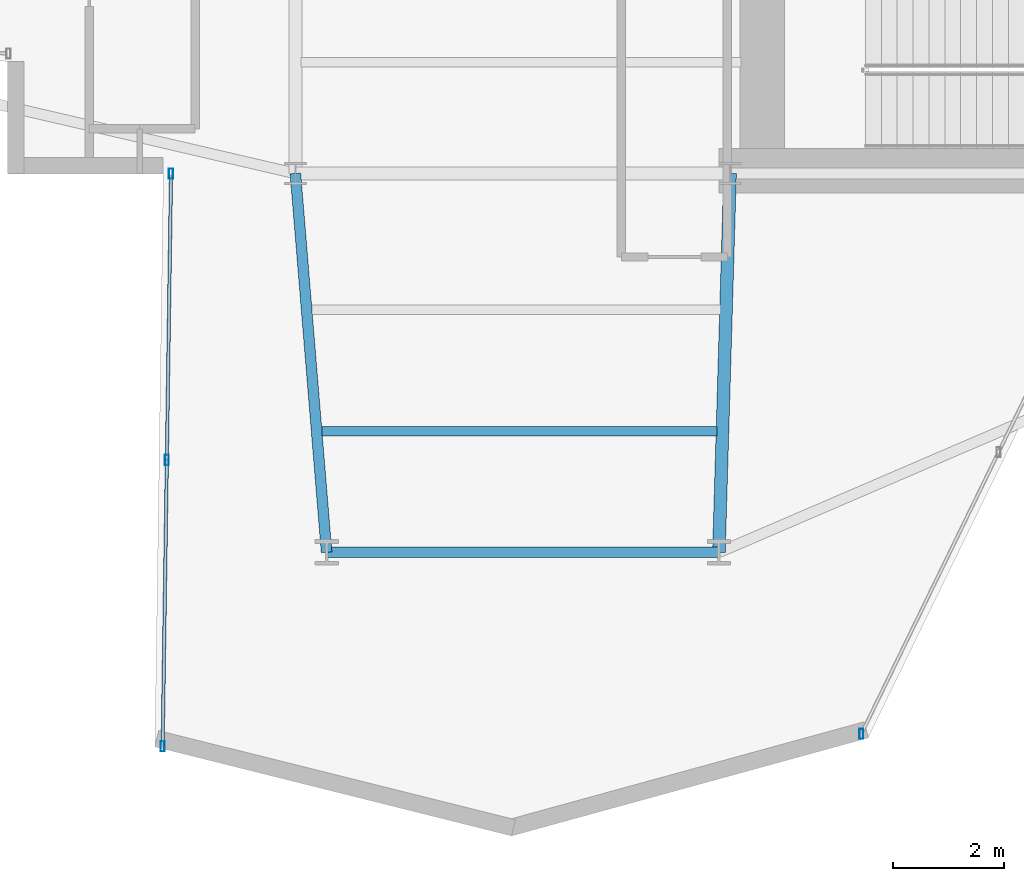
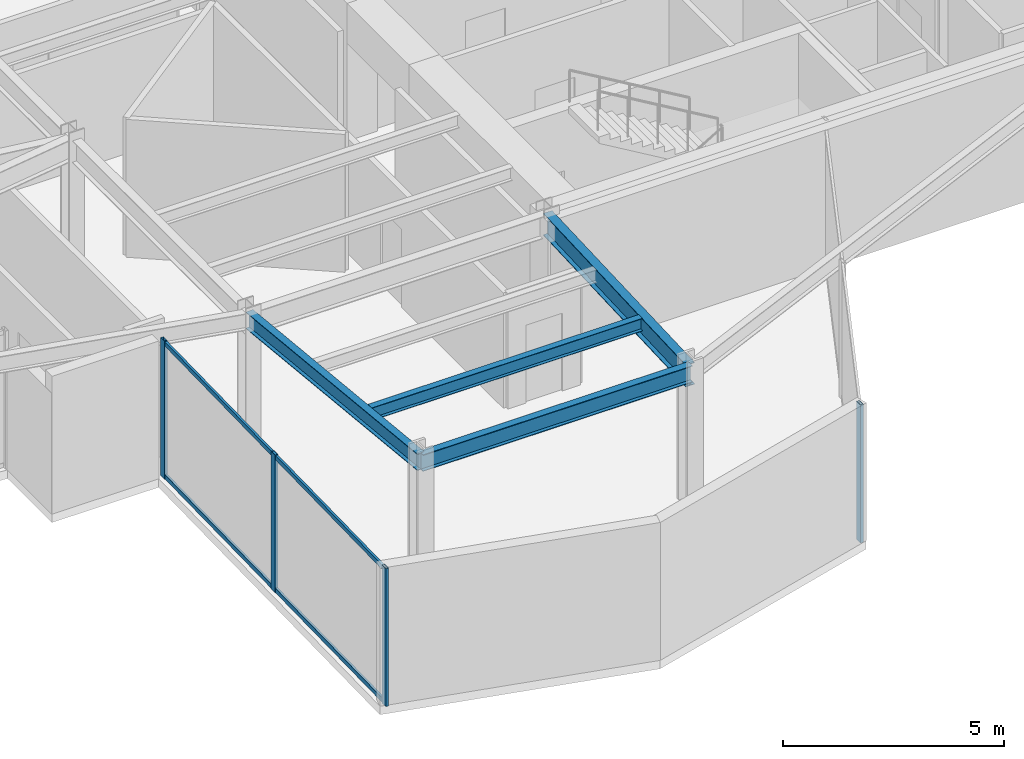
# One storey, part 4 of 25: 6 members, 4 beams, 2 elements without a shape of their own.
"""IFC4 building model written with IfcOpenShell, lengths in metres."""

from ifc_helpers import new_model, si_unit, direction, frame, origin, origin_2d, place, context, subcontext, project, spatial, hollow_rectangle, i_section, extrude, material, layer, layer_set, material_profile, profile_set, type_object, element, aggregate, save


model = new_model("IFC4")

# Units and contexts
model_context = context("Model", 3, precision=1e-05, world=origin(), true_north=direction((0.0, 1.0)))
body_context = subcontext(model_context, "Body", "Model", "MODEL_VIEW")
ifc_project = project(units=[si_unit("LENGTHUNIT", "METRE"), si_unit("AREAUNIT", "SQUARE_METRE"), si_unit("VOLUMEUNIT", "CUBIC_METRE"), si_unit("PLANEANGLEUNIT", "RADIAN"), si_unit("MASSUNIT", "GRAM", prefix="KILO")], contexts=[model_context])

# Site, building, storey
site_placement = place(None, origin())
site = spatial("IfcSite", under=ifc_project, at=site_placement, CompositionType="ELEMENT")
building_placement = place(site_placement, origin())
building = spatial("IfcBuilding", under=site, at=building_placement, Name="Veymaron Broadcast Tower", CompositionType="ELEMENT")
storey_placement = place(building_placement, frame((0.0, 0.0, 120.89990234375)))
storey = spatial("IfcBuildingStorey", under=building, at=storey_placement, Name="L27", CompositionType="ELEMENT", Elevation=120.89990234375)

# Beams
ifc_material_1 = material(Name="Structural steel ASTM A992 Gr 50", Category="steel")
ifc_material_profile_1 = material_profile(ifc_material_1, i_section(OverallWidth=0.22802734375, OverallDepth=0.60791015625, WebThickness=0.01123046875, FlangeThickness=0.017333984375, at=origin_2d()), Name="W610X113")
ifc_profile_set_1 = profile_set([ifc_material_profile_1], Name="Structural steel ASTM A992 Gr 50")
beam_type_1 = type_object("IfcBeamType", Name="BM-FG2", PredefinedType="BEAM", material=ifc_profile_set_1)
beam_1_placement = place(storey_placement, frame((39.0, 16.0, 3.506103515625), z_axis=(-0.029391669433, -0.99956797156, 0.0), x_axis=(0.99956797156, -0.029391669433, 0.0)))
element("IfcBeam", 1, at=beam_1_placement, inside=storey, type_object=beam_type_1, Name="L27 primary structural floor girder", PredefinedType="BEAM", context=body_context, shape_type="SweptSolid", body=[
    extrude(i_section(OverallWidth=0.22802734375, OverallDepth=0.60791015625, WebThickness=0.01123046875, FlangeThickness=0.017333984375, at=origin_2d()), origin(), (0.0, 0.0, 1.0), 6.802978515625),
])
ifc_material_profile_2 = material_profile(ifc_material_1, i_section(OverallWidth=0.1708984375, OverallDepth=0.35498046875, WebThickness=0.007080078125, FlangeThickness=0.01171875, at=origin_2d()), Name="W360X51")
ifc_profile_set_2 = profile_set([ifc_material_profile_2], Name="Structural steel ASTM A992 Gr 50")
beam_type_2 = type_object("IfcBeamType", Name="BM-JS2", PredefinedType="JOIST", material=ifc_profile_set_2)
beam_2_placement = place(storey_placement, frame((31.680908203125, 11.3759765625, 3.632568359375), z_axis=(1.0, 0.0, 0.0), x_axis=(0.0, 1.0, 0.0)))
element("IfcBeam", 2, at=beam_2_placement, inside=storey, type_object=beam_type_2, Name="L27 Arm-C secondary joist 2", PredefinedType="JOIST", context=body_context, shape_type="SweptSolid", body=[
    extrude(i_section(OverallWidth=0.1708984375, OverallDepth=0.35498046875, WebThickness=0.007080078125, FlangeThickness=0.01171875, at=origin_2d()), origin(), (0.0, 0.0, 1.0), 7.0830078125),
])
ifc_material_profile_3 = material_profile(ifc_material_1, i_section(OverallWidth=0.19091796875, OverallDepth=0.4599609375, WebThickness=0.010009765625, FlangeThickness=0.01611328125, at=origin_2d()), Name="W460X82")
ifc_profile_set_3 = profile_set([ifc_material_profile_3], Name="Structural steel ASTM A992 Gr 50")
beam_type_3 = type_object("IfcBeamType", Name="BM-SP1", PredefinedType="SPANDREL", material=ifc_profile_set_3)
beam_3_placement = place(storey_placement, frame((31.199951171875, 16.0, 3.580078125), z_axis=(0.082083038904, -0.996625493716, 0.0), x_axis=(0.996625493716, 0.082083038904, 0.0)))
element("IfcBeam", 3, at=beam_3_placement, inside=storey, type_object=beam_type_3, Name="L27 primary structural floor girder", PredefinedType="SPANDREL", context=body_context, shape_type="SweptSolid", body=[
    extrude(i_section(OverallWidth=0.19091796875, OverallDepth=0.4599609375, WebThickness=0.010009765625, FlangeThickness=0.01611328125, at=origin_2d()), origin(), (0.0, 0.0, 1.0), 6.822998046875),
])
beam_4_placement = place(storey_placement, frame((31.760009765625, 9.199951171875, 3.580078125), z_axis=(1.0, 0.0, 0.0), x_axis=(0.0, 1.0, 0.0)))
element("IfcBeam", 4, at=beam_4_placement, inside=storey, type_object=beam_type_3, Name="L27 primary structural floor girder", PredefinedType="SPANDREL", context=body_context, shape_type="SweptSolid", body=[
    extrude(i_section(OverallWidth=0.19091796875, OverallDepth=0.4599609375, WebThickness=0.010009765625, FlangeThickness=0.01611328125, at=origin_2d()), origin(), (0.0, 0.0, 1.0), 7.0400390625),
])

# Curtain wall, members
ifc_material_2 = material(Name="Anodised aluminium AA 6063-T6 and laminated low-E dark glass", Category="aluminium")
ifc_layer = layer(ifc_material_2, 0.179931640625)
ifc_layer_set = layer_set([ifc_layer], Name="Anodised aluminium AA 6063-T6 and laminated low-E dark glass")
curtain_wall_type = type_object("IfcCurtainWallType", Name="CW-SYS-03", PredefinedType="NOTDEFINED", material=ifc_layer_set)
curtain_wall_1_placement = place(storey_placement, origin())
curtain_wall_1 = element("IfcCurtainWall", 5, at=curtain_wall_1_placement, inside=storey, type_object=curtain_wall_type, Name="L27 dark-glass curtain wall CW-L27-E17-1", PredefinedType="NOTDEFINED")
ifc_material_3 = material(Name="Anodised aluminium AA 6063-T6", Category="aluminium")
ifc_material_profile_4 = material_profile(ifc_material_3, hollow_rectangle(XDim=0.074951171875, YDim=0.179931640625, WallThickness=0.0048828125, at=origin_2d()), Name="AL180X75X5")
ifc_profile_set_4 = profile_set([ifc_material_profile_4], Name="Anodised aluminium AA 6063-T6")
member_type_1 = type_object("IfcMemberType", Name="CW-MUL-02", PredefinedType="MULLION", material=ifc_profile_set_4)
member_1_placement = place(storey_placement, frame((28.96826171875, 15.998046875, 0.0), z_axis=(0.0, 0.0, 1.0), x_axis=(1.0, 0.0, 0.0)))
member_1 = element("IfcMember", 6, at=member_1_placement, type_object=member_type_1, Name="CW-L27-E17-1 mullion 0", PredefinedType="MULLION", context=body_context, shape_type="SweptSolid", body=[
    extrude(hollow_rectangle(XDim=0.074951171875, YDim=0.179931640625, WallThickness=0.0048828125, at=origin_2d()), origin(), (0.0, 0.0, 1.0), 3.81005859375),
])
member_2_placement = place(storey_placement, frame((28.89306640625, 10.85791015625, 0.0), z_axis=(0.0, 0.0, 1.0), x_axis=(1.0, 0.0, 0.0)))
member_2 = element("IfcMember", 7, at=member_2_placement, type_object=member_type_1, Name="CW-L27-E17-1 mullion 1", PredefinedType="MULLION", context=body_context, shape_type="SweptSolid", body=[
    extrude(hollow_rectangle(XDim=0.074951171875, YDim=0.179931640625, WallThickness=0.0048828125, at=origin_2d()), origin(), (0.0, 0.0, 1.0), 3.81005859375),
])
member_3_placement = place(storey_placement, frame((28.81787109375, 5.718017578125, 0.0), z_axis=(0.0, 0.0, 1.0), x_axis=(1.0, 0.0, 0.0)))
member_3 = element("IfcMember", 8, at=member_3_placement, type_object=member_type_1, Name="CW-L27-E17-1 mullion 2", PredefinedType="MULLION", context=body_context, shape_type="SweptSolid", body=[
    extrude(hollow_rectangle(XDim=0.074951171875, YDim=0.179931640625, WallThickness=0.0048828125, at=origin_2d()), origin(), (0.0, 0.0, 1.0), 3.81005859375),
])

# Curtain wall, member
curtain_wall_2_placement = place(storey_placement, origin())
curtain_wall_2 = element("IfcCurtainWall", 9, at=curtain_wall_2_placement, inside=storey, type_object=curtain_wall_type, Name="L27 dark-glass curtain wall CW-L27-E20-1", PredefinedType="NOTDEFINED")
member_4_placement = place(storey_placement, frame((41.356201171875, 5.94140625, 0.0), z_axis=(0.0, 0.0, 1.0), x_axis=(1.0, 0.0, 0.0)))
member_4 = element("IfcMember", 10, at=member_4_placement, type_object=member_type_1, Name="CW-L27-E20-1 mullion 0", PredefinedType="MULLION", context=body_context, shape_type="SweptSolid", body=[
    extrude(hollow_rectangle(XDim=0.074951171875, YDim=0.179931640625, WallThickness=0.0048828125, at=origin_2d()), origin(), (0.0, 0.0, 1.0), 3.81005859375),
])
aggregate(curtain_wall_2, [member_4])

# Member
ifc_material_profile_5 = material_profile(ifc_material_3, hollow_rectangle(XDim=0.06005859375, YDim=0.1201171875, WallThickness=0.00390625, at=origin_2d()), Name="AL120X60X4")
ifc_profile_set_5 = profile_set([ifc_material_profile_5], Name="Anodised aluminium AA 6063-T6")
member_type_2 = type_object("IfcMemberType", Name="CW-TRN-02", PredefinedType="USERDEFINED", material=ifc_profile_set_5)
member_5_placement = place(storey_placement, frame((28.967529296875, 15.947998046875, 0.070068359375), z_axis=(-0.014627784613, -0.999893008235, 0.0), x_axis=(0.999893008235, -0.014627784613, 0.0)))
member_5 = element("IfcMember", 11, at=member_5_placement, type_object=member_type_2, Name="CW-L27-E17-1 transom B", ObjectType="TRANSOM", PredefinedType="USERDEFINED", context=body_context, shape_type="SweptSolid", body=[
    extrude(hollow_rectangle(XDim=0.06005859375, YDim=0.1201171875, WallThickness=0.00390625, at=origin_2d()), origin(), (0.0, 0.0, 1.0), 10.180908203125),
])

member_6_placement = place(storey_placement, frame((28.967529296875, 15.947998046875, 3.739990234375), z_axis=(-0.014627784613, -0.999893008235, 0.0), x_axis=(0.999893008235, -0.014627784613, 0.0)))
member_6 = element("IfcMember", 12, at=member_6_placement, type_object=member_type_2, Name="CW-L27-E17-1 transom T", ObjectType="TRANSOM", PredefinedType="USERDEFINED", context=body_context, shape_type="SweptSolid", body=[
    extrude(hollow_rectangle(XDim=0.06005859375, YDim=0.1201171875, WallThickness=0.00390625, at=origin_2d()), origin(), (0.0, 0.0, 1.0), 10.180908203125),
])

aggregate(curtain_wall_1, [member_1, member_2, member_3, member_5, member_6])

save(model, "model.ifc")
